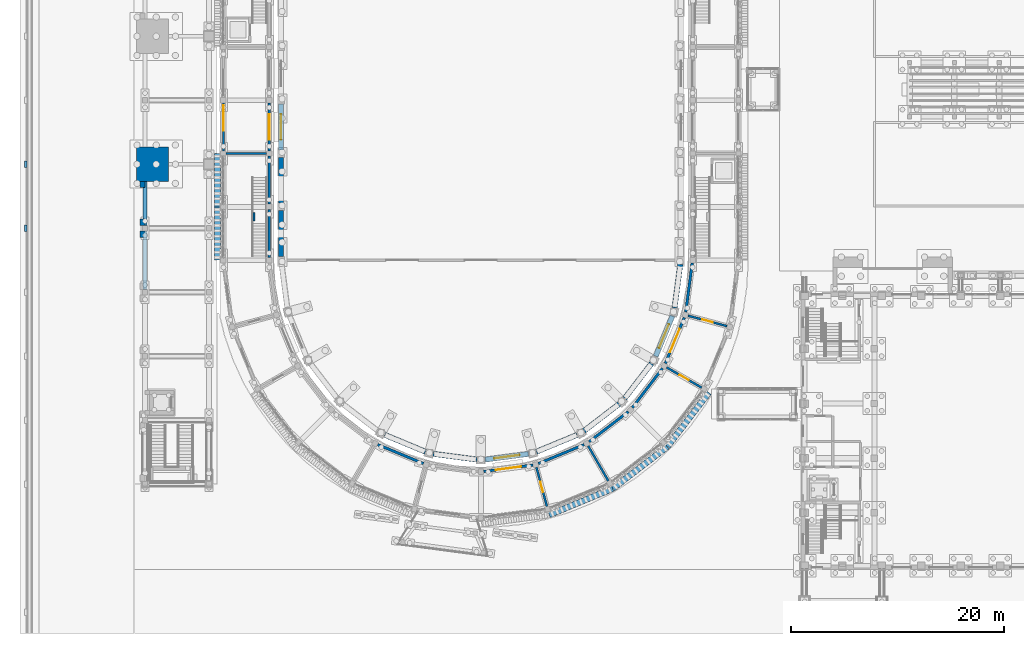
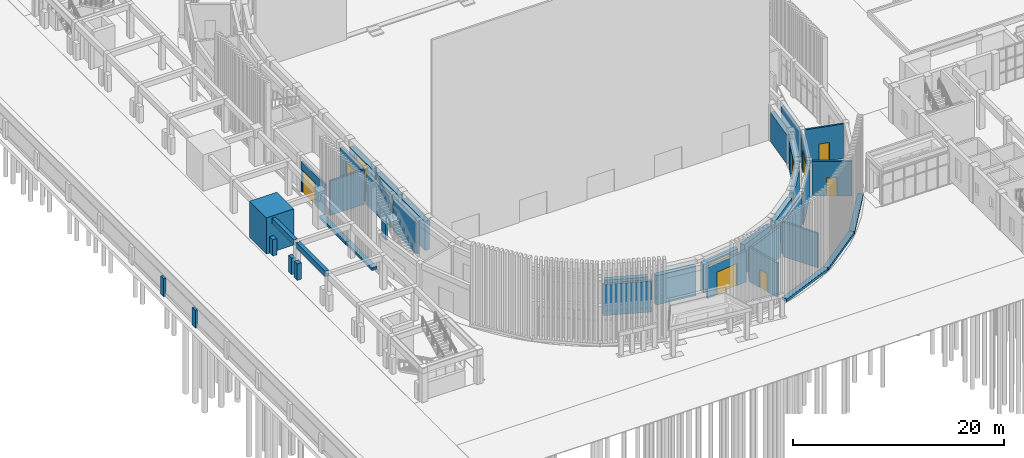
# One storey, part 60 of 112: 41 walls, 10 doors, 10 openings.
"""IFC4 building model written with IfcOpenShell, lengths in metres."""

import ifcopenshell
import ifcopenshell.guid

model = None  # the IFC model being written
_history = None  # IfcOwnerHistory: only IFC2X3 demands one
_inside = {}  # id of a spatial element -> (the spatial element, [elements in it])
_under = {}  # id of a project, library or spatial element -> (it, [spatial elements below it])
_declared = {}  # id of a project -> (the project, [libraries it declares])
_typed = {}  # id of a type object -> (the type object, [elements of that type])
_made_of = {}  # id of a material, layer set ... -> (it, [elements and type objects made of it])


def new_model(schema):
    """Start an empty IFC model of exactly this schema.

    Asked for "IFC4X3", IfcOpenShell would pick the latest addendum, in which some entities
    have other attributes; the version numbers below select the first issue.
    IFC2X3 requires an IfcOwnerHistory on every rooted entity: one is made here for all.
    """
    global model, _history
    if schema == "IFC4X3":
        model = ifcopenshell.file(schema_version=(4, 3, 0, 0))
    else:
        model = ifcopenshell.file(schema=schema)
    _inside.clear()
    _under.clear()
    _declared.clear()
    _typed.clear()
    _made_of.clear()
    _history = None
    if model.schema == "IFC2X3":
        org = make("IfcOrganization", Name="unknown")
        user = make(
            "IfcPersonAndOrganization",
            ThePerson=make("IfcPerson", FamilyName="unknown"),
            TheOrganization=org,
        )
        app = make(
            "IfcApplication",
            ApplicationDeveloper=org,
            Version="unknown",
            ApplicationFullName="unknown",
            ApplicationIdentifier="unknown",
        )
        _history = make(
            "IfcOwnerHistory",
            OwningUser=user,
            OwningApplication=app,
            ChangeAction="ADDED",
            CreationDate=0,
        )
    return model


def make(cls, **values):
    """One entity of the class cls with the attributes given. An attribute that is None is left unset."""
    return model.create_entity(
        cls, **{name: value for name, value in values.items() if value is not None}
    )


def rooted(cls, **values):
    """An entity with a GlobalId (a new one), such as an element, a storey or a relation."""
    return make(cls, GlobalId=ifcopenshell.guid.new(), OwnerHistory=_history, **values)


def si_unit(unit_type, name, prefix=None):
    """IfcSIUnit, for example si_unit("LENGTHUNIT", "METRE", prefix="MILLI")."""
    return make("IfcSIUnit", UnitType=unit_type, Prefix=prefix, Name=name)


def assignment(units):
    """IfcUnitAssignment: the units of a project."""
    return None if units is None else make("IfcUnitAssignment", Units=units)


def point(xyz):
    """IfcCartesianPoint."""
    return None if xyz is None else make("IfcCartesianPoint", Coordinates=xyz)


def direction(xyz):
    """IfcDirection."""
    return None if xyz is None else make("IfcDirection", DirectionRatios=xyz)


def frame(location, z_axis=None, x_axis=None):
    """IfcAxis2Placement3D, a coordinate frame: its origin and axes. An axis left out is left unset."""
    return make(
        "IfcAxis2Placement3D",
        Location=point(location),
        Axis=direction(z_axis),
        RefDirection=direction(x_axis),
    )


def frame_2d(location, x_axis=None):
    """IfcAxis2Placement2D, a coordinate frame in the plane: its origin and x axis."""
    return make(
        "IfcAxis2Placement2D", Location=point(location), RefDirection=direction(x_axis)
    )


def origin():
    """The frame at (0, 0, 0) with its axes left unset."""
    return frame((0.0, 0.0, 0.0))


def place(relative_to, where):
    """IfcLocalPlacement: puts the frame where relative to a parent placement (None: the world)."""
    return make(
        "IfcLocalPlacement", PlacementRelTo=relative_to, RelativePlacement=where
    )


def context(
    kind, dimensions, precision=None, world=None, true_north=None, identifier=None
):
    """IfcGeometricRepresentationContext, for example the 3D "Model" context."""
    return make(
        "IfcGeometricRepresentationContext",
        ContextIdentifier=identifier,
        ContextType=kind,
        CoordinateSpaceDimension=dimensions,
        Precision=precision,
        WorldCoordinateSystem=world,
        TrueNorth=true_north,
    )


def subcontext(parent, identifier, kind, view, scale=None):
    """IfcGeometricRepresentationSubContext, for example "Body" below "Model"."""
    return make(
        "IfcGeometricRepresentationSubContext",
        ContextIdentifier=identifier,
        ContextType=kind,
        ParentContext=parent,
        TargetScale=scale,
        TargetView=view,
    )


def project(units=None, contexts=None):
    """IfcProject with its units and contexts."""
    return rooted(
        "IfcProject",
        Name="project",
        RepresentationContexts=contexts,
        UnitsInContext=assignment(units),
    )


def spatial(cls, under=None, at=None, **own):
    """A site, building, storey or space (cls), placed at a placement, below another one or the project."""
    s = rooted(cls, ObjectPlacement=at, **own)
    if under is not None:
        _under.setdefault(under.id(), (under, []))[1].append(s)
    return s


def profile(cls, at=None, kind="AREA", **sizes):
    """A parametric profile (cls). Its sizes go by their IFC names, for example OverallWidth=200.0."""
    return make(cls, ProfileType=kind, Position=at, **sizes)


def rectangle(**sizes):
    """IfcRectangleProfileDef."""
    return profile("IfcRectangleProfileDef", **sizes)


def extrude(swept, where, along, depth):
    """IfcExtrudedAreaSolid: the profile swept, set in the frame where, extruded along a direction by depth."""
    return make(
        "IfcExtrudedAreaSolid",
        SweptArea=swept,
        Position=where,
        ExtrudedDirection=direction(along),
        Depth=depth,
    )


def shape(context_of_items, identifier, shape_type, items):
    """IfcShapeRepresentation: the items that make up one representation, for example the "Body"."""
    return make(
        "IfcShapeRepresentation",
        ContextOfItems=context_of_items,
        RepresentationIdentifier=identifier,
        RepresentationType=shape_type,
        Items=items,
    )


def material(Name=None, Category=None):
    """IfcMaterial."""
    return make("IfcMaterial", Name=Name, Category=Category)


def layer(
    of_material, thickness, ventilated=None, Name=None, Category=None, Priority=None
):
    """IfcMaterialLayer: one layer of a wall or slab, of a material (None: an air gap)."""
    return make(
        "IfcMaterialLayer",
        Material=of_material,
        LayerThickness=thickness,
        IsVentilated=ventilated,
        Name=Name,
        Category=Category,
        Priority=Priority,
    )


def layer_set(layers, Name=None):
    """IfcMaterialLayerSet."""
    return make("IfcMaterialLayerSet", MaterialLayers=layers, LayerSetName=Name)


def made_of(thing, what):
    """Note that an element or type object is made of a material, layer set ...; save() writes the relation."""
    if what is not None:
        _made_of.setdefault(what.id(), (what, []))[1].append(thing)
    return thing


def type_object(cls, material=None, **own):
    """A type object (cls), such as IfcWallType, which elements share."""
    return made_of(rooted(cls, **own), material)


def element(
    cls,
    number,
    at=None,
    inside=None,
    cuts=None,
    type_object=None,
    material=None,
    context=None,
    identifier="Body",
    shape_type=None,
    held_by="IfcProductDefinitionShape",
    body=None,
    shapes=None,
    **own,
):
    """One element of the class cls, such as IfcWall. Its Tag is "e" and its number.

    at: its placement. inside: the storey or other place that contains it. cuts: it is an
    opening in that element (IfcRelVoidsElement). A single representation is given by context,
    identifier, shape_type and body (its items); several are given by shapes. held_by: the class
    of the entity that holds the representations. save() writes the other relations.
    """
    e = rooted(cls, Tag="e%d" % number, ObjectPlacement=at, **own)
    if body is not None:
        shapes = [shape(context, identifier, shape_type, body)]
    if shapes is not None:
        e.Representation = make(held_by, Representations=shapes)
    if inside is not None:
        _inside.setdefault(inside.id(), (inside, []))[1].append(e)
    if cuts is not None:
        rooted(
            "IfcRelVoidsElement", RelatingBuildingElement=cuts, RelatedOpeningElement=e
        )
    if type_object is not None:
        _typed.setdefault(type_object.id(), (type_object, []))[1].append(e)
    return made_of(e, material)


def fill(opening, filler):
    """IfcRelFillsElement: the door or window that sits in an opening."""
    return rooted(
        "IfcRelFillsElement",
        RelatingOpeningElement=opening,
        RelatedBuildingElement=filler,
    )


def aggregate(whole, parts):
    """IfcRelAggregates: a whole, such as a stair, and the parts it consists of."""
    return rooted("IfcRelAggregates", RelatingObject=whole, RelatedObjects=parts)


def save(model, path):
    """Write the relations noted so far, then the file.

    IfcRelAggregates (storeys below a building ...), IfcRelContainedInSpatialStructure (elements
    in a storey), IfcRelDefinesByType, IfcRelAssociatesMaterial and IfcRelDeclares: one each for
    every whole, place, type object, material and project.
    """
    for whole, parts in _under.values():
        aggregate(whole, parts)
    for where, things in _inside.values():
        rooted(
            "IfcRelContainedInSpatialStructure",
            RelatedElements=things,
            RelatingStructure=where,
        )
    for kind, things in _typed.values():
        rooted("IfcRelDefinesByType", RelatedObjects=things, RelatingType=kind)
    for what, things in _made_of.values():
        rooted("IfcRelAssociatesMaterial", RelatedObjects=things, RelatingMaterial=what)
    for by, libraries in _declared.values():
        rooted("IfcRelDeclares", RelatingContext=by, RelatedDefinitions=libraries)
    model.write(path)


model = new_model("IFC4")

# Units and contexts
model_context = context("Model", 3, precision=1e-05, world=origin(), true_north=direction((0.0, 1.0)))
body_context = subcontext(model_context, "Body", "Model", "MODEL_VIEW")
ifc_project = project(units=[si_unit("LENGTHUNIT", "METRE"), si_unit("AREAUNIT", "SQUARE_METRE"), si_unit("VOLUMEUNIT", "CUBIC_METRE"), si_unit("PLANEANGLEUNIT", "RADIAN"), si_unit("MASSUNIT", "GRAM", prefix="KILO")], contexts=[model_context])

# Site, building, storey
site_placement = place(None, origin())
site = spatial("IfcSite", under=ifc_project, at=site_placement, CompositionType="ELEMENT")
building_placement = place(site_placement, origin())
building = spatial("IfcBuilding", under=site, at=building_placement, Name="Wasatch Bagh Community Centre", CompositionType="ELEMENT")
storey_placement = place(building_placement, origin())
storey = spatial("IfcBuildingStorey", under=building, at=storey_placement, Name="L00", CompositionType="ELEMENT", Elevation=0.0)

# Walls
ifc_material_1 = material(Name="Concrete C40", Category="concrete")
ifc_layer_1 = layer(ifc_material_1, 3.0)
ifc_layer_set_1 = layer_set([ifc_layer_1], Name="Concrete C40")
wall_type_1 = type_object("IfcWallType", Name="CP-W7", PredefinedType="STANDARD", material=ifc_layer_set_1)
wall_1_placement = place(storey_placement, frame((5.199951171875, 42.39990234375, 0.0), z_axis=(0.0, 0.0, 1.0), x_axis=(0.0, 1.0, 0.0)))
element("IfcWall", 1, at=wall_1_placement, inside=storey, type_object=wall_type_1, Name="CP-W7 iwan masonry mass 1", PredefinedType="STANDARD", context=body_context, shape_type="SweptSolid", body=[
    extrude(rectangle(XDim=3.2001953125, YDim=3.0, at=frame_2d((1.60009765625, 0.0))), origin(), (0.0, 0.0, 1.0), 4.199951171875),
])
ifc_layer_2 = layer(ifc_material_1, 0.39990234375)
ifc_layer_set_2 = layer_set([ifc_layer_2], Name="Concrete C40")
wall_type_2 = type_object("IfcWallType", Name="CT-W1", PredefinedType="STANDARD", material=ifc_layer_set_2)
wall_2_placement = place(storey_placement, frame((4.5, 32.25, 3.300048828125), z_axis=(0.0, 0.0, 1.0), x_axis=(0.0, 1.0, 0.0)))
element("IfcWall", 2, at=wall_2_placement, inside=storey, type_object=wall_type_2, Name="CT-W1 arcade spandrel band 4", PredefinedType="STANDARD", context=body_context, shape_type="SweptSolid", body=[
    extrude(rectangle(XDim=5.5, YDim=0.39990234375, at=frame_2d((2.75, 0.0))), origin(), (0.0, 0.0, 1.0), 0.64990234375),
])
wall_3_placement = place(storey_placement, frame((4.5, 38.25, 3.300048828125), z_axis=(0.0, 0.0, 1.0), x_axis=(0.0, 1.0, 0.0)))
element("IfcWall", 3, at=wall_3_placement, inside=storey, type_object=wall_type_2, Name="CT-W1 arcade spandrel band W1", PredefinedType="STANDARD", context=body_context, shape_type="SweptSolid", body=[
    extrude(rectangle(XDim=4.14990234375, YDim=0.39990234375, at=frame_2d((2.074951171875, 0.0))), origin(), (0.0, 0.0, 1.0), 0.64990234375),
])
ifc_layer_3 = layer(ifc_material_1, 0.449951171875)
ifc_layer_set_3 = layer_set([ifc_layer_3], Name="Concrete C40")
wall_type_3 = type_object("IfcWallType", Name="CT-W6", PredefinedType="STANDARD", material=ifc_layer_set_3)
for number, where, z_axis, x_axis, name in (
    (4, (4.27490234375, 37.75, 0.0), (0.0, 0.0, 1.0), (0.0, -1.0, 0.0), "CT-W6 colonnade pier panel"),
    (5, (4.27490234375, 38.25, 0.0), (0.0, 0.0, 1.0), (0.0, 1.0, 0.0), "CT-W6 colonnade pier panel"),
):
    element("IfcWall", number, at=place(storey_placement, frame(where, z_axis=z_axis, x_axis=x_axis)), inside=storey, type_object=wall_type_3, Name=name, PredefinedType="STANDARD", context=body_context, shape_type="SweptSolid", body=[
        extrude(rectangle(XDim=0.60009765625, YDim=0.449951171875, at=frame_2d((0.300048828125, 0.0))), origin(), (0.0, 0.0, 1.0), 1.89990234375),
    ])
wall_4_placement = place(storey_placement, frame((4.27490234375, 42.39990234375, 0.0), z_axis=(0.0, 0.0, 1.0), x_axis=(0.0, -1.0, 0.0)))
element("IfcWall", 6, at=wall_4_placement, inside=storey, type_object=wall_type_3, Name="CT-W6 colonnade pier panel", PredefinedType="STANDARD", context=body_context, shape_type="SweptSolid", body=[
    extrude(rectangle(XDim=0.599853515625, YDim=0.449951171875, at=frame_2d((0.2998046875, 0.0))), origin(), (0.0, 0.0, 1.0), 1.89990234375),
])

# Wall, opening, door
ifc_layer_4 = layer(ifc_material_1, 0.199951171875)
ifc_layer_set_4 = layer_set([ifc_layer_4], Name="Concrete C40")
wall_type_4 = type_object("IfcWallType", Name="Drum core wall RC WALL 200", PredefinedType="STANDARD", material=ifc_layer_set_4)
wall_5_placement = place(storey_placement, frame((55.4150390625, 29.7978515625, 0.0), z_axis=(0.0, 0.0, 1.0), x_axis=(0.965919660258, -0.258842055948, 0.0)))
wall_5 = element("IfcWall", 7, at=wall_5_placement, inside=storey, type_object=wall_type_4, Name="Partition 11", PredefinedType="STANDARD", context=body_context, shape_type="SweptSolid", body=[
    extrude(rectangle(XDim=3.800048828125, YDim=0.199951171875, at=frame_2d((1.89990234375, 0.0))), origin(), (0.0, 0.0, 1.0), 4.0),
])
opening_1_placement = place(wall_5_placement, frame((1.39990234375, 0.0, 0.0)))
opening_1 = element("IfcOpeningElement", 8, at=opening_1_placement, cuts=wall_5, Name="Opening 0F-26", PredefinedType="OPENING", context=body_context, shape_type="SweptSolid", body=[
    extrude(rectangle(XDim=1.0, YDim=2.10009765625, at=frame_2d((0.5, 1.050048828125))), frame((0.0, 0.10986328125, 0.0), z_axis=(0.0, -1.0, 0.0), x_axis=(1.0, 0.0, 0.0)), (0.0, 0.0, 1.0), 0.219970703125),
])
ifc_material_2 = material(Name="Timber door leaf in steel frame", Category="steel")
door_type_1 = type_object("IfcDoorType", Name="Drum door single 1000 x 2100", OperationType="SINGLE_SWING_LEFT", PredefinedType="DOOR", material=ifc_material_2)
door_1_placement = place(opening_1_placement, origin())
door_1 = element("IfcDoor", 9, at=door_1_placement, inside=storey, type_object=door_type_1, Name="Door 0F-26", OperationType="SINGLE_SWING_LEFT", OverallHeight=2.10009765625, OverallWidth=1.0, PredefinedType="DOOR", context=body_context, shape_type="SweptSolid", body=[
    extrude(rectangle(XDim=1.0, YDim=2.10009765625, at=frame_2d((0.5, 1.050048828125))), frame((0.0, 0.02490234375, 0.0), z_axis=(0.0, -1.0, 0.0), x_axis=(1.0, 0.0, 0.0)), (0.0, 0.0, 1.0), 0.050048828125),
])
fill(opening_1, door_1)

# Wall
wall_6_placement = place(storey_placement, frame((15.89990234375, 45.0, 0.0), z_axis=(0.0, 0.0, 1.0), x_axis=(-1.0, 0.0, 0.0)))
element("IfcWall", 10, at=wall_6_placement, inside=storey, type_object=wall_type_4, Name="Partition 34", PredefinedType="STANDARD", context=body_context, shape_type="SweptSolid", body=[
    extrude(rectangle(XDim=3.7998046875, YDim=0.199951171875, at=frame_2d((1.89990234375, 0.0))), origin(), (0.0, 0.0, 1.0), 4.0),
])

# Wall, opening, door
ifc_layer_5 = layer(ifc_material_1, 0.199951171875)
ifc_layer_set_5 = layer_set([ifc_layer_5], Name="Concrete C40")
wall_type_5 = type_object("IfcWallType", Name="Drum entrance bay wall RC WALL 200", PredefinedType="STANDARD", material=ifc_layer_set_5)
wall_7_placement = place(storey_placement, frame((11.85009765625, 49.74951171875, 0.0), z_axis=(0.0, 0.0, 1.0), x_axis=(0.0, -1.0, 0.0)))
wall_7 = element("IfcWall", 11, at=wall_7_placement, inside=storey, type_object=wall_type_5, Name="Entrance bay wall 34", PredefinedType="STANDARD", context=body_context, shape_type="SweptSolid", body=[
    extrude(rectangle(XDim=4.4990234375, YDim=0.199951171875, at=frame_2d((2.24951171875, 0.0))), origin(), (0.0, 0.0, 1.0), 3.5),
])
opening_2_placement = place(wall_7_placement, frame((0.199462890625, 0.0, 0.0)))
opening_2 = element("IfcOpeningElement", 12, at=opening_2_placement, cuts=wall_7, Name="Opening 0F-14", PredefinedType="OPENING", context=body_context, shape_type="SweptSolid", body=[
    extrude(rectangle(XDim=2.39990234375, YDim=2.60009765625, at=frame_2d((1.199951171875, 1.300048828125))), frame((0.0, 0.10986328125, 0.0), z_axis=(0.0, -1.0, 0.0), x_axis=(1.0, 0.0, 0.0)), (0.0, 0.0, 1.0), 0.219970703125),
])
ifc_material_3 = material(Name="Aluminium framed door with low-iron insulated glass", Category="aluminium")
door_type_2 = type_object("IfcDoorType", Name="Drum entrance door pair 2400 x 2600", OperationType="DOUBLE_DOOR_DOUBLE_SWING", PredefinedType="DOOR", material=ifc_material_3)
door_2_placement = place(opening_2_placement, origin())
door_2 = element("IfcDoor", 13, at=door_2_placement, inside=storey, type_object=door_type_2, Name="Door 0F-14", OperationType="DOUBLE_DOOR_DOUBLE_SWING", OverallHeight=2.60009765625, OverallWidth=2.39990234375, PredefinedType="DOOR", context=body_context, shape_type="SweptSolid", body=[
    extrude(rectangle(XDim=2.39990234375, YDim=2.60009765625, at=frame_2d((1.199951171875, 1.300048828125))), frame((0.0, 0.02490234375, 0.0), z_axis=(0.0, -1.0, 0.0), x_axis=(1.0, 0.0, 0.0)), (0.0, 0.0, 1.0), 0.050048828125),
])
fill(opening_2, door_2)

# Wall
ifc_layer_6 = layer(ifc_material_1, 0.25)
ifc_layer_set_6 = layer_set([ifc_layer_6], Name="Concrete C40")
wall_type_6 = type_object("IfcWallType", Name="Drum inner wall RC WALL 250", PredefinedType="SHEAR", material=ifc_layer_set_6)
wall_8_placement = place(storey_placement, frame((26.32373046875, 17.706298828125, 0.0), z_axis=(0.0, 0.0, 1.0), x_axis=(0.923889955309, -0.382658268537, 0.0)))
element("IfcWall", 14, at=wall_8_placement, inside=storey, type_object=wall_type_6, Name="Inner wall 5", PredefinedType="SHEAR", context=body_context, shape_type="SweptSolid", body=[
    extrude(rectangle(XDim=4.6435546875, YDim=0.25, at=frame_2d((2.32177734375, 0.0))), origin(), (0.0, 0.0, 1.0), 3.60009765625),
])

# Wall, opening, door
wall_9_placement = place(storey_placement, frame((36.266845703125, 15.18505859375, 0.0), z_axis=(0.0, 0.0, 1.0), x_axis=(0.991442839224, 0.130541551055, 0.0)))
wall_9 = element("IfcWall", 15, at=wall_9_placement, inside=storey, type_object=wall_type_6, Name="Inner wall 7", PredefinedType="SHEAR", context=body_context, shape_type="SweptSolid", body=[
    extrude(rectangle(XDim=4.643798828125, YDim=0.25, at=frame_2d((2.32177734375, 0.0))), origin(), (0.0, 0.0, 1.0), 3.60009765625),
])
opening_3_placement = place(wall_9_placement, frame((1.121826171875, 0.0, 0.0)))
opening_3 = element("IfcOpeningElement", 16, at=opening_3_placement, cuts=wall_9, Name="Opening 0F-69", PredefinedType="OPENING", context=body_context, shape_type="SweptSolid", body=[
    extrude(rectangle(XDim=2.39990234375, YDim=2.60009765625, at=frame_2d((1.199951171875, 1.300048828125))), frame((0.0, 0.135009765625, 0.0), z_axis=(0.0, -1.0, 0.0), x_axis=(1.0, 0.0, 0.0)), (0.0, 0.0, 1.0), 0.27001953125),
])
door_type_3 = type_object("IfcDoorType", Name="Drum gate door pair 2400 x 2600", OperationType="DOUBLE_DOOR_SLIDING", PredefinedType="DOOR", material=ifc_material_3)
door_3_placement = place(opening_3_placement, origin())
door_3 = element("IfcDoor", 17, at=door_3_placement, inside=storey, type_object=door_type_3, Name="Door 0F-69", OperationType="DOUBLE_DOOR_SLIDING", OverallHeight=2.60009765625, OverallWidth=2.39990234375, PredefinedType="DOOR", context=body_context, shape_type="SweptSolid", body=[
    extrude(rectangle(XDim=2.39990234375, YDim=2.60009765625, at=frame_2d((1.199951171875, 1.300048828125))), frame((0.0, 0.02490234375, 0.0), z_axis=(0.0, -1.0, 0.0), x_axis=(1.0, 0.0, 0.0)), (0.0, 0.0, 1.0), 0.050048828125),
])
fill(opening_3, door_3)

# Walls
wall_10_placement = place(storey_placement, frame((41.38623046875, 15.929443359375, 0.0), z_axis=(0.0, 0.0, 1.0), x_axis=(0.923889955309, 0.382658268537, 0.0)))
element("IfcWall", 18, at=wall_10_placement, inside=storey, type_object=wall_type_6, Name="Inner wall 8", PredefinedType="SHEAR", context=body_context, shape_type="SweptSolid", body=[
    extrude(rectangle(XDim=4.6435546875, YDim=0.25, at=frame_2d((2.32177734375, 0.0))), origin(), (0.0, 0.0, 1.0), 3.60009765625),
])
for number, where, z_axis, x_axis, name in (
    (19, (46.138427734375, 17.97314453125, 0.0), (0.0, 0.0, 1.0), (0.793352432504, 0.608762612058, 0.0), "Inner wall 9"),
    (20, (50.199951171875, 21.177490234375, 0.0), (0.0, 0.0, 1.0), (0.608762612058, 0.793352432504, 0.0), "Inner wall 10"),
):
    element("IfcWall", number, at=place(storey_placement, frame(where, z_axis=z_axis, x_axis=x_axis)), inside=storey, type_object=wall_type_6, Name=name, PredefinedType="SHEAR", context=body_context, shape_type="SweptSolid", body=[
        extrude(rectangle(XDim=4.643798828125, YDim=0.25, at=frame_2d((2.32177734375, 0.0))), origin(), (0.0, 0.0, 1.0), 3.60009765625),
    ])

# Wall, opening, door
wall_11_placement = place(storey_placement, frame((53.293701171875, 25.32373046875, 0.0), z_axis=(0.0, 0.0, 1.0), x_axis=(0.382658268537, 0.923889955309, 0.0)))
wall_11 = element("IfcWall", 21, at=wall_11_placement, inside=storey, type_object=wall_type_6, Name="Inner wall 11", PredefinedType="SHEAR", context=body_context, shape_type="SweptSolid", body=[
    extrude(rectangle(XDim=4.6435546875, YDim=0.25, at=frame_2d((2.32177734375, 0.0))), origin(), (0.0, 0.0, 1.0), 3.60009765625),
])
opening_4_placement = place(wall_11_placement, frame((1.121826171875, 0.0, 0.0)))
opening_4 = element("IfcOpeningElement", 22, at=opening_4_placement, cuts=wall_11, Name="Opening 0F-68", PredefinedType="OPENING", context=body_context, shape_type="SweptSolid", body=[
    extrude(rectangle(XDim=2.39990234375, YDim=2.60009765625, at=frame_2d((1.199951171875, 1.300048828125))), frame((0.0, 0.135009765625, 0.0), z_axis=(0.0, -1.0, 0.0), x_axis=(1.0, 0.0, 0.0)), (0.0, 0.0, 1.0), 0.27001953125),
])
door_4_placement = place(opening_4_placement, origin())
door_4 = element("IfcDoor", 23, at=door_4_placement, inside=storey, type_object=door_type_3, Name="Door 0F-68", OperationType="DOUBLE_DOOR_SLIDING", OverallHeight=2.60009765625, OverallWidth=2.39990234375, PredefinedType="DOOR", context=body_context, shape_type="SweptSolid", body=[
    extrude(rectangle(XDim=2.39990234375, YDim=2.60009765625, at=frame_2d((1.199951171875, 1.300048828125))), frame((0.0, 0.02490234375, 0.0), z_axis=(0.0, -1.0, 0.0), x_axis=(1.0, 0.0, 0.0)), (0.0, 0.0, 1.0), 0.050048828125),
])
fill(opening_4, door_4)

# Wall
wall_12_placement = place(storey_placement, frame((55.208740234375, 30.129150390625, 0.0), z_axis=(0.0, 0.0, 1.0), x_axis=(0.130541551055, 0.991442839224, 0.0)))
element("IfcWall", 24, at=wall_12_placement, inside=storey, type_object=wall_type_6, Name="Inner wall 12", PredefinedType="SHEAR", context=body_context, shape_type="SweptSolid", body=[
    extrude(rectangle(XDim=4.643798828125, YDim=0.25, at=frame_2d((2.32177734375, 0.0))), origin(), (0.0, 0.0, 1.0), 3.60009765625),
])

# Wall, opening, door
wall_13_placement = place(storey_placement, frame((16.14990234375, 49.74951171875, 0.0), z_axis=(0.0, 0.0, 1.0), x_axis=(0.0, -1.0, 0.0)))
wall_13 = element("IfcWall", 25, at=wall_13_placement, inside=storey, type_object=wall_type_6, Name="Inner wall 34", PredefinedType="SHEAR", context=body_context, shape_type="SweptSolid", body=[
    extrude(rectangle(XDim=4.4990234375, YDim=0.25, at=frame_2d((2.24951171875, 0.0))), origin(), (0.0, 0.0, 1.0), 3.60009765625),
])
opening_5_placement = place(wall_13_placement, frame((1.049560546875, 0.0, 0.0)))
opening_5 = element("IfcOpeningElement", 26, at=opening_5_placement, cuts=wall_13, Name="Opening 0F-62", PredefinedType="OPENING", context=body_context, shape_type="SweptSolid", body=[
    extrude(rectangle(XDim=2.39990234375, YDim=2.60009765625, at=frame_2d((1.199951171875, 1.300048828125))), frame((0.0, 0.135009765625, 0.0), z_axis=(0.0, -1.0, 0.0), x_axis=(1.0, 0.0, 0.0)), (0.0, 0.0, 1.0), 0.27001953125),
])
door_5_placement = place(opening_5_placement, origin())
door_5 = element("IfcDoor", 27, at=door_5_placement, inside=storey, type_object=door_type_3, Name="Door 0F-62", OperationType="DOUBLE_DOOR_SLIDING", OverallHeight=2.60009765625, OverallWidth=2.39990234375, PredefinedType="DOOR", context=body_context, shape_type="SweptSolid", body=[
    extrude(rectangle(XDim=2.39990234375, YDim=2.60009765625, at=frame_2d((1.199951171875, 1.300048828125))), frame((0.0, 0.02490234375, 0.0), z_axis=(0.0, -1.0, 0.0), x_axis=(1.0, 0.0, 0.0)), (0.0, 0.0, 1.0), 0.050048828125),
])
fill(opening_5, door_5)

# Walls
for number, where, z_axis, x_axis, name in (
    (28, (16.14990234375, 44.74951171875, 0.0), (0.0, 0.0, 1.0), (0.0, -1.0, 0.0), "Inner wall 35"),
    (29, (16.14990234375, 39.74951171875, 0.0), (0.0, 0.0, 1.0), (0.0, -1.0, 0.0), "Inner wall 36"),
):
    element("IfcWall", number, at=place(storey_placement, frame(where, z_axis=z_axis, x_axis=x_axis)), inside=storey, type_object=wall_type_6, Name=name, PredefinedType="SHEAR", context=body_context, shape_type="SweptSolid", body=[
        extrude(rectangle(XDim=4.4990234375, YDim=0.25, at=frame_2d((2.24951171875, 0.0))), origin(), (0.0, 0.0, 1.0), 3.60009765625),
    ])
ifc_layer_7 = layer(ifc_material_1, 0.199951171875)
ifc_layer_set_7 = layer_set([ifc_layer_7], Name="Concrete C40")
wall_type_7 = type_object("IfcWallType", Name="Drum landing support wall RC WALL 200", PredefinedType="SHEAR", material=ifc_layer_set_7)
wall_14_placement = place(storey_placement, frame((14.72509765625, 38.679931640625, 0.0), z_axis=(0.0, 0.0, 1.0), x_axis=(0.0, 1.0, 0.0)))
element("IfcWall", 30, at=wall_14_placement, inside=storey, type_object=wall_type_7, Name="Stair SW0 landing support wall", PredefinedType="SHEAR", context=body_context, shape_type="SweptSolid", body=[
    extrude(rectangle(XDim=0.800048828125, YDim=0.199951171875, at=frame_2d((0.39990234375, 0.0))), origin(), (0.0, 0.0, 1.0), 1.89990234375),
])

# Wall, opening, door
ifc_material_4 = material(Name="Gypsum board partition on steel studs", Category="steel")
ifc_layer_8 = layer(ifc_material_4, 0.199951171875)
ifc_layer_set_8 = layer_set([ifc_layer_8], Name="Gypsum board partition on steel studs")
wall_type_8 = type_object("IfcWallType", Name="Drum partition 200", PredefinedType="PARTITIONING", material=ifc_layer_set_8)
wall_15_placement = place(storey_placement, frame((41.2021484375, 15.5849609375, 0.0), z_axis=(0.0, 0.0, 1.0), x_axis=(0.258842055948, -0.965919660258, 0.0)))
wall_15 = element("IfcWall", 31, at=wall_15_placement, inside=storey, type_object=wall_type_8, Name="Partition 07", PredefinedType="PARTITIONING", context=body_context, shape_type="SweptSolid", body=[
    extrude(rectangle(XDim=3.800048828125, YDim=0.199951171875, at=frame_2d((1.89990234375, 0.0))), origin(), (0.0, 0.0, 1.0), 4.0),
])
opening_6_placement = place(wall_15_placement, frame((1.39990234375, 0.0, 0.0)))
opening_6 = element("IfcOpeningElement", 32, at=opening_6_placement, cuts=wall_15, Name="Opening 0F-24", PredefinedType="OPENING", context=body_context, shape_type="SweptSolid", body=[
    extrude(rectangle(XDim=1.0, YDim=2.10009765625, at=frame_2d((0.5, 1.050048828125))), frame((0.0, 0.10986328125, 0.0), z_axis=(0.0, -1.0, 0.0), x_axis=(1.0, 0.0, 0.0)), (0.0, 0.0, 1.0), 0.219970703125),
])
door_6_placement = place(opening_6_placement, origin())
door_6 = element("IfcDoor", 33, at=door_6_placement, inside=storey, type_object=door_type_1, Name="Door 0F-24", OperationType="SINGLE_SWING_LEFT", OverallHeight=2.10009765625, OverallWidth=1.0, PredefinedType="DOOR", context=body_context, shape_type="SweptSolid", body=[
    extrude(rectangle(XDim=1.0, YDim=2.10009765625, at=frame_2d((0.5, 1.050048828125))), frame((0.0, 0.02490234375, 0.0), z_axis=(0.0, -1.0, 0.0), x_axis=(1.0, 0.0, 0.0)), (0.0, 0.0, 1.0), 0.050048828125),
])
fill(opening_6, door_6)

# Wall
wall_16_placement = place(storey_placement, frame((46.050048828125, 17.5927734375, 0.0), z_axis=(0.0, 0.0, 1.0), x_axis=(0.499994975061, -0.866028304915, 0.0)))
element("IfcWall", 34, at=wall_16_placement, inside=storey, type_object=wall_type_8, Name="Partition 08", PredefinedType="PARTITIONING", context=body_context, shape_type="SweptSolid", body=[
    extrude(rectangle(XDim=3.7998046875, YDim=0.199951171875, at=frame_2d((1.89990234375, 0.0))), origin(), (0.0, 0.0, 1.0), 4.0),
])

# Wall, opening, door
wall_17_placement = place(storey_placement, frame((53.4072265625, 24.949951171875, 0.0), z_axis=(0.0, 0.0, 1.0), x_axis=(0.866028304915, -0.499994975061, 0.0)))
wall_17 = element("IfcWall", 35, at=wall_17_placement, inside=storey, type_object=wall_type_8, Name="Partition 10", PredefinedType="PARTITIONING", context=body_context, shape_type="SweptSolid", body=[
    extrude(rectangle(XDim=3.7998046875, YDim=0.199951171875, at=frame_2d((1.89990234375, 0.0))), origin(), (0.0, 0.0, 1.0), 4.0),
])
opening_7_placement = place(wall_17_placement, frame((1.39990234375, 0.0, 0.0)))
opening_7 = element("IfcOpeningElement", 36, at=opening_7_placement, cuts=wall_17, Name="Opening 0F-25", PredefinedType="OPENING", context=body_context, shape_type="SweptSolid", body=[
    extrude(rectangle(XDim=1.0, YDim=2.10009765625, at=frame_2d((0.5, 1.050048828125))), frame((0.0, 0.10986328125, 0.0), z_axis=(0.0, -1.0, 0.0), x_axis=(1.0, 0.0, 0.0)), (0.0, 0.0, 1.0), 0.219970703125),
])
door_7_placement = place(opening_7_placement, origin())
door_7 = element("IfcDoor", 37, at=door_7_placement, inside=storey, type_object=door_type_1, Name="Door 0F-25", OperationType="SINGLE_SWING_RIGHT", OverallHeight=2.10009765625, OverallWidth=1.0, PredefinedType="DOOR", context=body_context, shape_type="SweptSolid", body=[
    extrude(rectangle(XDim=1.0, YDim=2.10009765625, at=frame_2d((0.5, 1.050048828125))), frame((0.0, 0.02490234375, 0.0), z_axis=(0.0, -1.0, 0.0), x_axis=(1.0, 0.0, 0.0)), (0.0, 0.0, 1.0), 0.050048828125),
])
fill(opening_7, door_7)

# Walls
ifc_material_5 = material(Name="Concrete C35 faced in red sandstone", Category="masonry")
ifc_layer_9 = layer(ifc_material_5, 0.669921875)
ifc_layer_set_9 = layer_set([ifc_layer_9], Name="Concrete C35 faced in red sandstone")
wall_type_9 = type_object("IfcWallType", Name="Drum sandstone plinth", PredefinedType="STANDARD", material=ifc_layer_set_9)
wall_18_placement = place(storey_placement, frame((42.4130859375, 11.123291015625, 0.0), z_axis=(0.0, 0.0, 1.0), x_axis=(0.923884370922, 0.3826717512, 0.0)))
element("IfcWall", 38, at=wall_18_placement, inside=storey, type_object=wall_type_9, Name="Sandstone plinth 8", PredefinedType="STANDARD", context=body_context, shape_type="SweptSolid", body=[
    extrude(rectangle(XDim=6.424560546875, YDim=0.56005859375, at=frame_2d((3.21240234375, 0.0))), origin(), (0.0, 0.0, 1.0), 0.300048828125),
])
wall_19_placement = place(storey_placement, frame((48.37451171875, 13.5966796875, 0.0), z_axis=(0.0, 0.0, 1.0), x_axis=(0.79334816813, 0.608768169442, 0.0)))
element("IfcWall", 39, at=wall_19_placement, inside=storey, type_object=wall_type_9, Name="Sandstone plinth 9", PredefinedType="STANDARD", context=body_context, shape_type="SweptSolid", body=[
    extrude(rectangle(XDim=6.42431640625, YDim=0.56005859375, at=frame_2d((3.212158203125, 0.0))), origin(), (0.0, 0.0, 1.0), 0.300048828125),
])
wall_20_placement = place(storey_placement, frame((53.492431640625, 17.52880859375, 0.0), z_axis=(0.0, 0.0, 1.0), x_axis=(0.60874074273, 0.793369213003, 0.0)))
element("IfcWall", 40, at=wall_20_placement, inside=storey, type_object=wall_type_9, Name="Sandstone plinth 10", PredefinedType="STANDARD", context=body_context, shape_type="SweptSolid", body=[
    extrude(rectangle(XDim=6.364501953125, YDim=0.56005859375, at=frame_2d((3.18212890625, 0.0))), origin(), (0.0, 0.0, 1.0), 0.300048828125),
])
for number, where, z_axis, x_axis, name in (
    (41, (11.280029296875, 45.0, 0.0), (0.0, 0.0, 1.0), (0.0, -1.0, 0.0), "Sandstone plinth 35"),
    (42, (11.280029296875, 40.0, 0.0), (0.0, 0.0, 1.0), (0.0, -1.0, 0.0), "Sandstone plinth 36"),
):
    element("IfcWall", number, at=place(storey_placement, frame(where, z_axis=z_axis, x_axis=x_axis)), inside=storey, type_object=wall_type_9, Name=name, PredefinedType="STANDARD", context=body_context, shape_type="SweptSolid", body=[
        extrude(rectangle(XDim=5.0, YDim=0.56005859375, at=frame_2d((2.5, 0.0))), origin(), (0.0, 0.0, 1.0), 0.300048828125),
    ])
ifc_layer_10 = layer(ifc_material_1, 0.5)
ifc_layer_set_10 = layer_set([ifc_layer_10], Name="Concrete C40")
wall_type_10 = type_object("IfcWallType", Name="MH wall RC WALL 500", PredefinedType="SHEAR", material=ifc_layer_set_10)
for number, where, z_axis, x_axis, name in (
    (43, (26.98193359375, 18.6142578125, 0.0), (0.0, 0.0, 1.0), (0.923877504262, -0.382688328955, 0.0), "Capsule wall 5"),
    (44, (31.5302734375, 16.83837890625, 0.0), (0.0, 0.0, 1.0), (0.991450464722, -0.130483623501, 0.0), "Capsule wall 6"),
):
    element("IfcWall", number, at=place(storey_placement, frame(where, z_axis=z_axis, x_axis=x_axis)), inside=storey, type_object=wall_type_10, Name=name, PredefinedType="SHEAR", context=body_context, shape_type="SweptSolid", body=[
        extrude(rectangle(XDim=4.121826171875, YDim=0.5, at=frame_2d((2.06103515625, 0.0))), origin(), (0.0, 0.0, 1.0), 3.39990234375),
    ])

# Wall, opening, door
wall_21_placement = place(storey_placement, frame((36.383056640625, 16.300537109375, 0.0), z_axis=(0.0, 0.0, 1.0), x_axis=(0.991450464722, 0.130483623501, 0.0)))
wall_21 = element("IfcWall", 45, at=wall_21_placement, inside=storey, type_object=wall_type_10, Name="Capsule wall 7", PredefinedType="SHEAR", context=body_context, shape_type="SweptSolid", body=[
    extrude(rectangle(XDim=4.121826171875, YDim=0.5, at=frame_2d((2.06103515625, 0.0))), origin(), (0.0, 0.0, 1.0), 3.39990234375),
])
opening_8_placement = place(wall_21_placement, frame((0.86083984375, 0.0, 0.0)))
opening_8 = element("IfcOpeningElement", 46, at=opening_8_placement, cuts=wall_21, Name="Opening 0M-02", PredefinedType="OPENING", context=body_context, shape_type="SweptSolid", body=[
    extrude(rectangle(XDim=2.39990234375, YDim=3.199951171875, at=frame_2d((1.199951171875, 1.60009765625))), frame((0.0, 0.260009765625, 0.0), z_axis=(0.0, -1.0, 0.0), x_axis=(1.0, 0.0, 0.0)), (0.0, 0.0, 1.0), 0.52001953125),
])
door_type_4 = type_object("IfcDoorType", Name="MH gate door pair 2400 x 3200", OperationType="DOUBLE_DOOR_SLIDING", PredefinedType="DOOR", material=ifc_material_3)
door_8_placement = place(opening_8_placement, origin())
door_8 = element("IfcDoor", 47, at=door_8_placement, inside=storey, type_object=door_type_4, Name="Door 0M-02", OperationType="DOUBLE_DOOR_SLIDING", OverallHeight=3.199951171875, OverallWidth=2.39990234375, PredefinedType="DOOR", context=body_context, shape_type="SweptSolid", body=[
    extrude(rectangle(XDim=2.39990234375, YDim=3.199951171875, at=frame_2d((1.199951171875, 1.60009765625))), frame((0.0, 0.02490234375, 0.0), z_axis=(0.0, -1.0, 0.0), x_axis=(1.0, 0.0, 0.0)), (0.0, 0.0, 1.0), 0.050048828125),
])
fill(opening_8, door_8)

# Walls
for number, where, z_axis, x_axis, name in (
    (48, (41.2099609375, 17.036865234375, 0.0), (0.0, 0.0, 1.0), (0.923877504262, 0.382688328955, 0.0), "Capsule wall 8"),
    (49, (45.681640625, 18.997314453125, 0.0), (0.0, 0.0, 1.0), (0.793341258985, 0.60877717335, 0.0), "Capsule wall 9"),
    (50, (49.493408203125, 22.04833984375, 0.0), (0.0, 0.0, 1.0), (0.60877717335, 0.793341258985, 0.0), "Capsule wall 10"),
):
    element("IfcWall", number, at=place(storey_placement, frame(where, z_axis=z_axis, x_axis=x_axis)), inside=storey, type_object=wall_type_10, Name=name, PredefinedType="SHEAR", context=body_context, shape_type="SweptSolid", body=[
        extrude(rectangle(XDim=4.121826171875, YDim=0.5, at=frame_2d((2.06103515625, 0.0))), origin(), (0.0, 0.0, 1.0), 3.39990234375),
    ])

# Wall, opening, door
wall_22_placement = place(storey_placement, frame((52.3857421875, 25.98193359375, 0.0), z_axis=(0.0, 0.0, 1.0), x_axis=(0.382688328955, 0.923877504262, 0.0)))
wall_22 = element("IfcWall", 51, at=wall_22_placement, inside=storey, type_object=wall_type_10, Name="Capsule wall 11", PredefinedType="SHEAR", context=body_context, shape_type="SweptSolid", body=[
    extrude(rectangle(XDim=4.121826171875, YDim=0.5, at=frame_2d((2.06103515625, 0.0))), origin(), (0.0, 0.0, 1.0), 3.39990234375),
])
opening_9_placement = place(wall_22_placement, frame((0.86083984375, 0.0, 0.0)))
opening_9 = element("IfcOpeningElement", 52, at=opening_9_placement, cuts=wall_22, Name="Opening 0M-03", PredefinedType="OPENING", context=body_context, shape_type="SweptSolid", body=[
    extrude(rectangle(XDim=2.39990234375, YDim=3.199951171875, at=frame_2d((1.199951171875, 1.60009765625))), frame((0.0, 0.260009765625, 0.0), z_axis=(0.0, -1.0, 0.0), x_axis=(1.0, 0.0, 0.0)), (0.0, 0.0, 1.0), 0.52001953125),
])
door_9_placement = place(opening_9_placement, origin())
door_9 = element("IfcDoor", 53, at=door_9_placement, inside=storey, type_object=door_type_4, Name="Door 0M-03", OperationType="DOUBLE_DOOR_SLIDING", OverallHeight=3.199951171875, OverallWidth=2.39990234375, PredefinedType="DOOR", context=body_context, shape_type="SweptSolid", body=[
    extrude(rectangle(XDim=2.39990234375, YDim=3.199951171875, at=frame_2d((1.199951171875, 1.60009765625))), frame((0.0, 0.02490234375, 0.0), z_axis=(0.0, -1.0, 0.0), x_axis=(1.0, 0.0, 0.0)), (0.0, 0.0, 1.0), 0.050048828125),
])
fill(opening_9, door_9)

# Wall
wall_23_placement = place(storey_placement, frame((54.16162109375, 30.5302734375, 0.0), z_axis=(0.0, 0.0, 1.0), x_axis=(0.130483623501, 0.991450464722, 0.0)))
element("IfcWall", 54, at=wall_23_placement, inside=storey, type_object=wall_type_10, Name="Capsule wall 12", PredefinedType="SHEAR", context=body_context, shape_type="SweptSolid", body=[
    extrude(rectangle(XDim=4.121826171875, YDim=0.5, at=frame_2d((2.06103515625, 0.0))), origin(), (0.0, 0.0, 1.0), 3.39990234375),
])

# Wall, opening, door
wall_24_placement = place(storey_placement, frame((17.25, 49.6494140625, 0.0), z_axis=(0.0, 0.0, 1.0), x_axis=(0.0, -1.0, 0.0)))
wall_24 = element("IfcWall", 55, at=wall_24_placement, inside=storey, type_object=wall_type_10, Name="Capsule wall 34", PredefinedType="SHEAR", context=body_context, shape_type="SweptSolid", body=[
    extrude(rectangle(XDim=4.298828125, YDim=0.5, at=frame_2d((2.1494140625, 0.0))), origin(), (0.0, 0.0, 1.0), 3.39990234375),
])
opening_10_placement = place(wall_24_placement, frame((0.949462890625, 0.0, 0.0)))
opening_10 = element("IfcOpeningElement", 56, at=opening_10_placement, cuts=wall_24, Name="Opening 0M-10", PredefinedType="OPENING", context=body_context, shape_type="SweptSolid", body=[
    extrude(rectangle(XDim=2.39990234375, YDim=3.199951171875, at=frame_2d((1.199951171875, 1.60009765625))), frame((0.0, 0.260009765625, 0.0), z_axis=(0.0, -1.0, 0.0), x_axis=(1.0, 0.0, 0.0)), (0.0, 0.0, 1.0), 0.52001953125),
])
door_10_placement = place(opening_10_placement, origin())
door_10 = element("IfcDoor", 57, at=door_10_placement, inside=storey, type_object=door_type_4, Name="Door 0M-10", OperationType="DOUBLE_DOOR_SLIDING", OverallHeight=3.199951171875, OverallWidth=2.39990234375, PredefinedType="DOOR", context=body_context, shape_type="SweptSolid", body=[
    extrude(rectangle(XDim=2.39990234375, YDim=3.199951171875, at=frame_2d((1.199951171875, 1.60009765625))), frame((0.0, 0.02490234375, 0.0), z_axis=(0.0, -1.0, 0.0), x_axis=(1.0, 0.0, 0.0)), (0.0, 0.0, 1.0), 0.050048828125),
])
fill(opening_10, door_10)

# Walls
for number, where, z_axis, x_axis, name in (
    (58, (17.25, 44.6494140625, 0.0), (0.0, 0.0, 1.0), (0.0, -1.0, 0.0), "Capsule wall 35"),
    (59, (17.25, 39.6494140625, 0.0), (0.0, 0.0, 1.0), (0.0, -1.0, 0.0), "Capsule wall 36"),
):
    element("IfcWall", number, at=place(storey_placement, frame(where, z_axis=z_axis, x_axis=x_axis)), inside=storey, type_object=wall_type_10, Name=name, PredefinedType="SHEAR", context=body_context, shape_type="SweptSolid", body=[
        extrude(rectangle(XDim=4.298828125, YDim=0.5, at=frame_2d((2.1494140625, 0.0))), origin(), (0.0, 0.0, 1.0), 3.39990234375),
    ])
ifc_material_6 = material(Name="Concrete C35", Category="concrete")
ifc_layer_11 = layer(ifc_material_6, 0.25)
ifc_layer_set_11 = layer_set([ifc_layer_11], Name="Concrete C35")
wall_type_11 = type_object("IfcWallType", Name="SITE-QP", PredefinedType="SOLIDWALL", material=ifc_layer_set_11)
for number, where, z_axis, x_axis, name in (
    (60, (-6.675048828125, 37.699951171875, -2.050048828125), (0.0, 0.0, 1.0), (0.0, 1.0, 0.0), "Quay pilaster 6"),
    (61, (-6.675048828125, 43.699951171875, -2.050048828125), (0.0, 0.0, 1.0), (0.0, 1.0, 0.0), "Quay pilaster 7"),
):
    element("IfcWall", number, at=place(storey_placement, frame(where, z_axis=z_axis, x_axis=x_axis)), inside=storey, type_object=wall_type_11, Name=name, PredefinedType="SOLIDWALL", context=body_context, shape_type="SweptSolid", body=[
        extrude(rectangle(XDim=0.60009765625, YDim=0.25, at=frame_2d((0.300048828125, 0.0))), origin(), (0.0, 0.0, 1.0), 2.050048828125),
    ])

save(model, "model.ifc")
